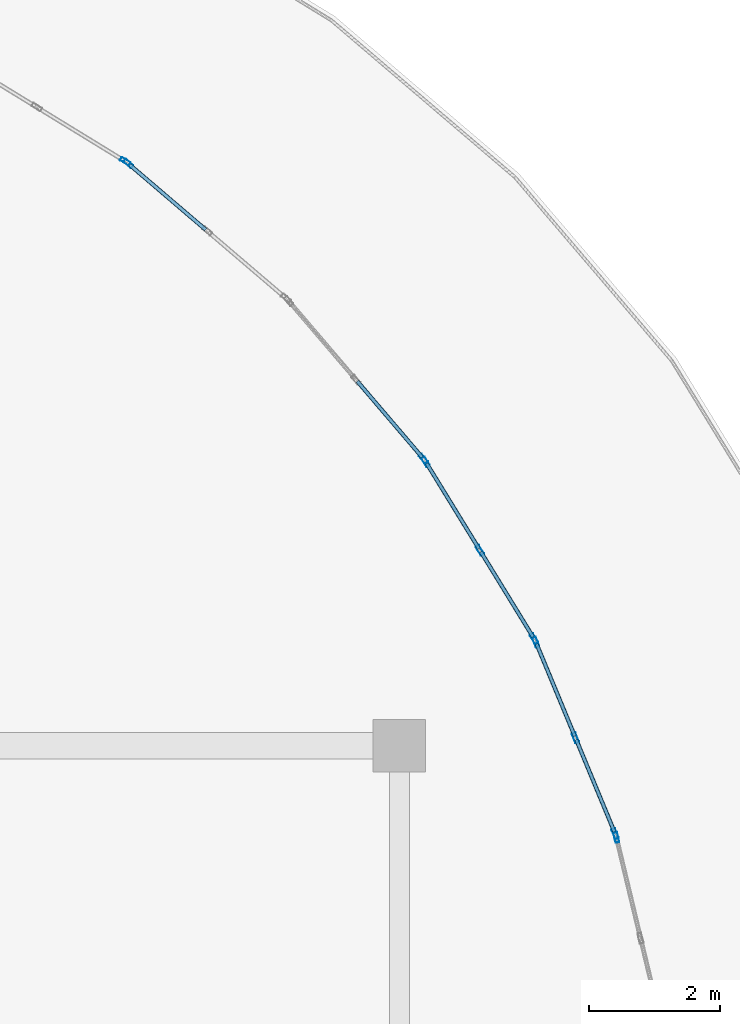
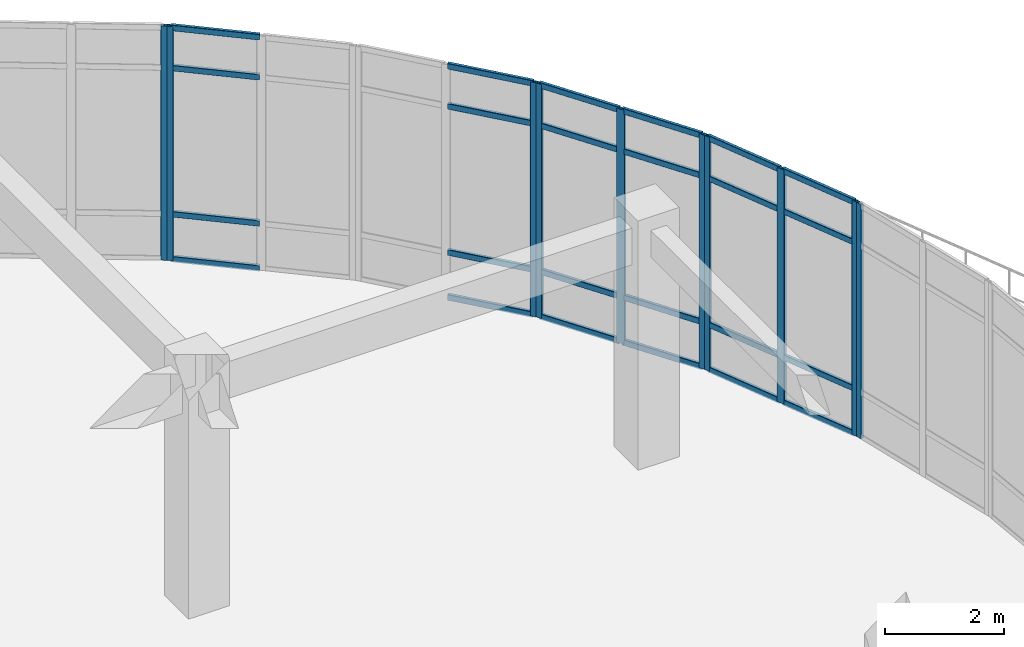
# One storey, part 88 of 124: 34 members, 6 elements without a shape of their own.
"""IFC4 building model written with IfcOpenShell, lengths in metres."""

from ifc_helpers import new_model, si_unit, derived_unit, direction, frame, origin, origin_2d, place, context, subcontext, project, spatial, hollow_rectangle, extrude, material, layer, layer_set, material_profile, profile_set, type_object, element, aggregate, save


model = new_model("IFC4")

# Units and contexts
model_context = context("Model", 3, precision=1e-05, world=origin(), true_north=direction((0.0, 1.0)))
body_context = subcontext(model_context, "Body", "Model", "MODEL_VIEW")
ifc_project = project(units=[si_unit("LENGTHUNIT", "METRE"), si_unit("AREAUNIT", "SQUARE_METRE"), si_unit("VOLUMEUNIT", "CUBIC_METRE"), si_unit("PLANEANGLEUNIT", "RADIAN"), si_unit("MASSUNIT", "GRAM", prefix="KILO"), derived_unit("THERMALTRANSMITTANCEUNIT", [(si_unit("MASSUNIT", "GRAM", prefix="KILO"), 1), (si_unit("TIMEUNIT", "SECOND"), -3), (si_unit("THERMODYNAMICTEMPERATUREUNIT", "KELVIN"), -1)])], contexts=[model_context])

# Site, building, storey
site_placement = place(None, origin())
site = spatial("IfcSite", under=ifc_project, at=site_placement, CompositionType="ELEMENT")
building_placement = place(site_placement, origin())
building = spatial("IfcBuilding", under=site, at=building_placement, Name="Qinzheling Arcade Emporium", CompositionType="ELEMENT")
storey_placement = place(building_placement, frame((0.0, 0.0, 16.5)))
storey = spatial("IfcBuildingStorey", under=building, at=storey_placement, Name="L04", CompositionType="ELEMENT", Elevation=16.5)

# Curtain wall, member
ifc_material_1 = material(Name="Anodised aluminium and solar-control double glazing", Category="aluminium")
ifc_layer = layer(ifc_material_1, 0.159912109375, Name="Anodised aluminium and solar-control double glazing", Category="aluminium")
ifc_layer_set = layer_set([ifc_layer], Name="Anodised aluminium and solar-control double glazing")
curtain_wall_type = type_object("IfcCurtainWallType", Name="Curved Ribbon Sales Curtain Wall", PredefinedType="NOTDEFINED", material=ifc_layer_set)
curtain_wall_1_placement = place(storey_placement, origin())
curtain_wall_1 = element("IfcCurtainWall", 1, at=curtain_wall_1_placement, inside=storey, type_object=curtain_wall_type, Name="Curtain Wall CW-L04-267", PredefinedType="NOTDEFINED")
ifc_material_2 = material(Name="Anodised aluminium 6063-T6", Category="aluminium")
ifc_material_profile_1 = material_profile(ifc_material_2, hollow_rectangle(XDim=0.06005859375, YDim=0.159912109375, WallThickness=0.00390625, InnerFilletRadius=0.00390625, OuterFilletRadius=0.008056640625, at=origin_2d()), Name="RHS 160x60x4", Category="aluminium")
ifc_profile_set_1 = profile_set([ifc_material_profile_1], Name="Anodised aluminium 6063-T6")
member_type_1 = type_object("IfcMemberType", Name="Curtain Wall Mullion RHS160x60", PredefinedType="MULLION", material=ifc_profile_set_1)
member_1_placement = place(storey_placement, frame((135.0244140625, 107.900634765625, 0.0), z_axis=(0.0, 0.0, 1.0), x_axis=(0.522518323638, 0.852628055756, 0.0)))
member_1 = element("IfcMember", 2, at=member_1_placement, type_object=member_type_1, Name="CW02 mullion 3", PredefinedType="MULLION", context=body_context, shape_type="SweptSolid", body=[
    extrude(hollow_rectangle(XDim=0.06005859375, YDim=0.159912109375, WallThickness=0.00390625, InnerFilletRadius=0.00390625, OuterFilletRadius=0.008056640625, at=origin_2d()), origin(), (0.0, 0.0, 1.0), 4.7900390625),
])
aggregate(curtain_wall_1, [member_1])

curtain_wall_2_placement = place(storey_placement, origin())
curtain_wall_2 = element("IfcCurtainWall", 3, at=curtain_wall_2_placement, inside=storey, type_object=curtain_wall_type, Name="Curtain Wall CW-L04-268", PredefinedType="NOTDEFINED")
member_2_placement = place(storey_placement, frame((135.07275390625, 107.865478515625, 0.0), z_axis=(0.0, 0.0, 1.0), x_axis=(0.64943342373, 0.760418455945, 0.0)))
member_2 = element("IfcMember", 4, at=member_2_placement, type_object=member_type_1, Name="CW02 mullion 1", PredefinedType="MULLION", context=body_context, shape_type="SweptSolid", body=[
    extrude(hollow_rectangle(XDim=0.06005859375, YDim=0.159912109375, WallThickness=0.00390625, InnerFilletRadius=0.00390625, OuterFilletRadius=0.008056640625, at=origin_2d()), origin(), (0.0, 0.0, 1.0), 4.7900390625),
])

curtain_wall_3_placement = place(storey_placement, origin())
curtain_wall_3 = element("IfcCurtainWall", 5, at=curtain_wall_3_placement, inside=storey, type_object=curtain_wall_type, Name="Curtain Wall CW-L04-269", PredefinedType="NOTDEFINED")
member_3_placement = place(storey_placement, frame((139.5654296875, 103.372802734375, 0.0), z_axis=(0.0, 0.0, 1.0), x_axis=(0.760418455945, 0.64943342373, 0.0)))
member_3 = element("IfcMember", 6, at=member_3_placement, type_object=member_type_1, Name="CW02 mullion 3", PredefinedType="MULLION", context=body_context, shape_type="SweptSolid", body=[
    extrude(hollow_rectangle(XDim=0.06005859375, YDim=0.159912109375, WallThickness=0.00390625, InnerFilletRadius=0.00390625, OuterFilletRadius=0.008056640625, at=origin_2d()), origin(), (0.0, 0.0, 1.0), 4.7900390625),
])

# Curtain wall, members
curtain_wall_4_placement = place(storey_placement, origin())
curtain_wall_4 = element("IfcCurtainWall", 7, at=curtain_wall_4_placement, inside=storey, type_object=curtain_wall_type, Name="Curtain Wall CW-L04-270", PredefinedType="NOTDEFINED")
member_4_placement = place(storey_placement, frame((139.6005859375, 103.324462890625, 0.0), z_axis=(0.0, 0.0, 1.0), x_axis=(0.852628055756, 0.522518323638, 0.0)))
member_4 = element("IfcMember", 8, at=member_4_placement, type_object=member_type_1, Name="CW02 mullion 1", PredefinedType="MULLION", context=body_context, shape_type="SweptSolid", body=[
    extrude(hollow_rectangle(XDim=0.06005859375, YDim=0.159912109375, WallThickness=0.00390625, InnerFilletRadius=0.00390625, OuterFilletRadius=0.008056640625, at=origin_2d()), origin(), (0.0, 0.0, 1.0), 4.7900390625),
])
member_5_placement = place(storey_placement, frame((140.425537109375, 101.978515625, 0.0), z_axis=(0.0, 0.0, 1.0), x_axis=(0.852628055756, 0.522518323638, 0.0)))
member_5 = element("IfcMember", 9, at=member_5_placement, type_object=member_type_1, Name="CW02 mullion 2", PredefinedType="MULLION", context=body_context, shape_type="SweptSolid", body=[
    extrude(hollow_rectangle(XDim=0.06005859375, YDim=0.159912109375, WallThickness=0.00390625, InnerFilletRadius=0.00390625, OuterFilletRadius=0.008056640625, at=origin_2d()), origin(), (0.0, 0.0, 1.0), 4.7900390625),
])
member_6_placement = place(storey_placement, frame((141.250244140625, 100.632568359375, 0.0), z_axis=(0.0, 0.0, 1.0), x_axis=(0.852628055756, 0.522518323638, 0.0)))
member_6 = element("IfcMember", 10, at=member_6_placement, type_object=member_type_1, Name="CW02 mullion 3", PredefinedType="MULLION", context=body_context, shape_type="SweptSolid", body=[
    extrude(hollow_rectangle(XDim=0.06005859375, YDim=0.159912109375, WallThickness=0.00390625, InnerFilletRadius=0.00390625, OuterFilletRadius=0.008056640625, at=origin_2d()), origin(), (0.0, 0.0, 1.0), 4.7900390625),
])

curtain_wall_5_placement = place(storey_placement, origin())
curtain_wall_5 = element("IfcCurtainWall", 11, at=curtain_wall_5_placement, inside=storey, type_object=curtain_wall_type, Name="Curtain Wall CW-L04-271", PredefinedType="NOTDEFINED")
member_7_placement = place(storey_placement, frame((141.277587890625, 100.579345703125, 0.0), z_axis=(0.0, 0.0, 1.0), x_axis=(0.923884226263, 0.38267210045, 0.0)))
member_7 = element("IfcMember", 12, at=member_7_placement, type_object=member_type_1, Name="CW02 mullion 1", PredefinedType="MULLION", context=body_context, shape_type="SweptSolid", body=[
    extrude(hollow_rectangle(XDim=0.06005859375, YDim=0.159912109375, WallThickness=0.00390625, InnerFilletRadius=0.00390625, OuterFilletRadius=0.008056640625, at=origin_2d()), origin(), (0.0, 0.0, 1.0), 4.7900390625),
])
member_8_placement = place(storey_placement, frame((141.881591796875, 99.12109375, 0.0), z_axis=(0.0, 0.0, 1.0), x_axis=(0.923884226263, 0.38267210045, 0.0)))
member_8 = element("IfcMember", 13, at=member_8_placement, type_object=member_type_1, Name="CW02 mullion 2", PredefinedType="MULLION", context=body_context, shape_type="SweptSolid", body=[
    extrude(hollow_rectangle(XDim=0.06005859375, YDim=0.159912109375, WallThickness=0.00390625, InnerFilletRadius=0.00390625, OuterFilletRadius=0.008056640625, at=origin_2d()), origin(), (0.0, 0.0, 1.0), 4.7900390625),
])
member_9_placement = place(storey_placement, frame((142.485595703125, 97.66259765625, 0.0), z_axis=(0.0, 0.0, 1.0), x_axis=(0.923884226263, 0.38267210045, 0.0)))
member_9 = element("IfcMember", 14, at=member_9_placement, type_object=member_type_1, Name="CW02 mullion 3", PredefinedType="MULLION", context=body_context, shape_type="SweptSolid", body=[
    extrude(hollow_rectangle(XDim=0.06005859375, YDim=0.159912109375, WallThickness=0.00390625, InnerFilletRadius=0.00390625, OuterFilletRadius=0.008056640625, at=origin_2d()), origin(), (0.0, 0.0, 1.0), 4.7900390625),
])

# Curtain wall, member
curtain_wall_6_placement = place(storey_placement, origin())
curtain_wall_6 = element("IfcCurtainWall", 15, at=curtain_wall_6_placement, inside=storey, type_object=curtain_wall_type, Name="Curtain Wall CW-L04-272", PredefinedType="NOTDEFINED")
member_10_placement = place(storey_placement, frame((142.50390625, 97.605712890625, 0.0), z_axis=(0.0, 0.0, 1.0), x_axis=(0.972367546477, 0.233455251725, 0.0)))
member_10 = element("IfcMember", 16, at=member_10_placement, type_object=member_type_1, Name="CW02 mullion 1", PredefinedType="MULLION", context=body_context, shape_type="SweptSolid", body=[
    extrude(hollow_rectangle(XDim=0.06005859375, YDim=0.159912109375, WallThickness=0.00390625, InnerFilletRadius=0.00390625, OuterFilletRadius=0.008056640625, at=origin_2d()), origin(), (0.0, 0.0, 1.0), 4.7900390625),
])
aggregate(curtain_wall_6, [member_10])

# Member
ifc_material_profile_2 = material_profile(ifc_material_2, hollow_rectangle(XDim=0.06005859375, YDim=0.1201171875, WallThickness=0.00390625, InnerFilletRadius=0.00390625, OuterFilletRadius=0.008056640625, at=origin_2d()), Name="RHS 120x60x4", Category="aluminium")
ifc_profile_set_2 = profile_set([ifc_material_profile_2], Name="Anodised aluminium 6063-T6")
member_type_2 = type_object("IfcMemberType", Name="Curtain Wall Transom RHS120x60", PredefinedType="USERDEFINED", material=ifc_profile_set_2)
member_11_placement = place(storey_placement, frame((135.095703125, 107.845947265625, 0.030029296875), z_axis=(0.760401801557, -0.649452923766, 0.0), x_axis=(0.649452923766, 0.760401801557, 0.0)))
member_11 = element("IfcMember", 17, at=member_11_placement, type_object=member_type_2, Name="CW02 transom 1.1", ObjectType="TRANSOM", PredefinedType="USERDEFINED", context=body_context, shape_type="SweptSolid", body=[
    extrude(hollow_rectangle(XDim=0.06005859375, YDim=0.1201171875, WallThickness=0.00390625, InnerFilletRadius=0.00390625, OuterFilletRadius=0.008056640625, at=origin_2d()), origin(), (0.0, 0.0, 1.0), 1.518310546875),
])

member_12_placement = place(storey_placement, frame((135.095703125, 107.845947265625, 0.949951171875), z_axis=(0.760401801557, -0.649452923766, 0.0), x_axis=(0.649452923766, 0.760401801557, 0.0)))
member_12 = element("IfcMember", 18, at=member_12_placement, type_object=member_type_2, Name="CW02 transom 1.2", ObjectType="TRANSOM", PredefinedType="USERDEFINED", context=body_context, shape_type="SweptSolid", body=[
    extrude(hollow_rectangle(XDim=0.06005859375, YDim=0.1201171875, WallThickness=0.00390625, InnerFilletRadius=0.00390625, OuterFilletRadius=0.008056640625, at=origin_2d()), origin(), (0.0, 0.0, 1.0), 1.518310546875),
])

member_13_placement = place(storey_placement, frame((135.095703125, 107.845947265625, 3.93994140625), z_axis=(0.760401801557, -0.649452923766, 0.0), x_axis=(0.649452923766, 0.760401801557, 0.0)))
member_13 = element("IfcMember", 19, at=member_13_placement, type_object=member_type_2, Name="CW02 transom 1.3", ObjectType="TRANSOM", PredefinedType="USERDEFINED", context=body_context, shape_type="SweptSolid", body=[
    extrude(hollow_rectangle(XDim=0.06005859375, YDim=0.1201171875, WallThickness=0.00390625, InnerFilletRadius=0.00390625, OuterFilletRadius=0.008056640625, at=origin_2d()), origin(), (0.0, 0.0, 1.0), 1.518310546875),
])

member_14_placement = place(storey_placement, frame((135.095703125, 107.845947265625, 4.760009765625), z_axis=(0.760401801557, -0.649452923766, 0.0), x_axis=(0.649452923766, 0.760401801557, 0.0)))
member_14 = element("IfcMember", 20, at=member_14_placement, type_object=member_type_2, Name="CW02 transom 1.4", ObjectType="TRANSOM", PredefinedType="USERDEFINED", context=body_context, shape_type="SweptSolid", body=[
    extrude(hollow_rectangle(XDim=0.06005859375, YDim=0.1201171875, WallThickness=0.00390625, InnerFilletRadius=0.00390625, OuterFilletRadius=0.008056640625, at=origin_2d()), origin(), (0.0, 0.0, 1.0), 1.518310546875),
])

aggregate(curtain_wall_2, [member_2, member_11, member_12, member_13, member_14])

member_15_placement = place(storey_placement, frame((138.56005859375, 104.55029296875, 0.030029296875), z_axis=(0.649373521865, -0.760469610899, 0.0), x_axis=(0.760469610899, 0.649373521865, 0.0)))
member_15 = element("IfcMember", 21, at=member_15_placement, type_object=member_type_2, Name="CW02 transom 2.1", ObjectType="TRANSOM", PredefinedType="USERDEFINED", context=body_context, shape_type="SweptSolid", body=[
    extrude(hollow_rectangle(XDim=0.06005859375, YDim=0.1201171875, WallThickness=0.00390625, InnerFilletRadius=0.00390625, OuterFilletRadius=0.008056640625, at=origin_2d()), origin(), (0.0, 0.0, 1.0), 1.5185546875),
])

member_16_placement = place(storey_placement, frame((138.56005859375, 104.55029296875, 0.949951171875), z_axis=(0.649373521865, -0.760469610899, 0.0), x_axis=(0.760469610899, 0.649373521865, 0.0)))
member_16 = element("IfcMember", 22, at=member_16_placement, type_object=member_type_2, Name="CW02 transom 2.2", ObjectType="TRANSOM", PredefinedType="USERDEFINED", context=body_context, shape_type="SweptSolid", body=[
    extrude(hollow_rectangle(XDim=0.06005859375, YDim=0.1201171875, WallThickness=0.00390625, InnerFilletRadius=0.00390625, OuterFilletRadius=0.008056640625, at=origin_2d()), origin(), (0.0, 0.0, 1.0), 1.5185546875),
])

member_17_placement = place(storey_placement, frame((138.56005859375, 104.55029296875, 3.93994140625), z_axis=(0.649373521865, -0.760469610899, 0.0), x_axis=(0.760469610899, 0.649373521865, 0.0)))
member_17 = element("IfcMember", 23, at=member_17_placement, type_object=member_type_2, Name="CW02 transom 2.3", ObjectType="TRANSOM", PredefinedType="USERDEFINED", context=body_context, shape_type="SweptSolid", body=[
    extrude(hollow_rectangle(XDim=0.06005859375, YDim=0.1201171875, WallThickness=0.00390625, InnerFilletRadius=0.00390625, OuterFilletRadius=0.008056640625, at=origin_2d()), origin(), (0.0, 0.0, 1.0), 1.5185546875),
])

member_18_placement = place(storey_placement, frame((138.56005859375, 104.55029296875, 4.760009765625), z_axis=(0.649373521865, -0.760469610899, 0.0), x_axis=(0.760469610899, 0.649373521865, 0.0)))
member_18 = element("IfcMember", 24, at=member_18_placement, type_object=member_type_2, Name="CW02 transom 2.4", ObjectType="TRANSOM", PredefinedType="USERDEFINED", context=body_context, shape_type="SweptSolid", body=[
    extrude(hollow_rectangle(XDim=0.06005859375, YDim=0.1201171875, WallThickness=0.00390625, InnerFilletRadius=0.00390625, OuterFilletRadius=0.008056640625, at=origin_2d()), origin(), (0.0, 0.0, 1.0), 1.5185546875),
])

aggregate(curtain_wall_3, [member_3, member_15, member_16, member_17, member_18])

member_19_placement = place(storey_placement, frame((139.616455078125, 103.298828125, 0.030029296875), z_axis=(0.522535666374, -0.852617427318, 0.0), x_axis=(0.852617427318, 0.522535666374, 0.0)))
member_19 = element("IfcMember", 25, at=member_19_placement, type_object=member_type_2, Name="CW02 transom 1.1", ObjectType="TRANSOM", PredefinedType="USERDEFINED", context=body_context, shape_type="SweptSolid", body=[
    extrude(hollow_rectangle(XDim=0.06005859375, YDim=0.1201171875, WallThickness=0.00390625, InnerFilletRadius=0.00390625, OuterFilletRadius=0.008056640625, at=origin_2d()), origin(), (0.0, 0.0, 1.0), 1.5185546875),
])

member_20_placement = place(storey_placement, frame((139.616455078125, 103.298828125, 0.949951171875), z_axis=(0.522535666374, -0.852617427318, 0.0), x_axis=(0.852617427318, 0.522535666374, 0.0)))
member_20 = element("IfcMember", 26, at=member_20_placement, type_object=member_type_2, Name="CW02 transom 1.2", ObjectType="TRANSOM", PredefinedType="USERDEFINED", context=body_context, shape_type="SweptSolid", body=[
    extrude(hollow_rectangle(XDim=0.06005859375, YDim=0.1201171875, WallThickness=0.00390625, InnerFilletRadius=0.00390625, OuterFilletRadius=0.008056640625, at=origin_2d()), origin(), (0.0, 0.0, 1.0), 1.5185546875),
])

member_21_placement = place(storey_placement, frame((139.616455078125, 103.298828125, 3.93994140625), z_axis=(0.522535666374, -0.852617427318, 0.0), x_axis=(0.852617427318, 0.522535666374, 0.0)))
member_21 = element("IfcMember", 27, at=member_21_placement, type_object=member_type_2, Name="CW02 transom 1.3", ObjectType="TRANSOM", PredefinedType="USERDEFINED", context=body_context, shape_type="SweptSolid", body=[
    extrude(hollow_rectangle(XDim=0.06005859375, YDim=0.1201171875, WallThickness=0.00390625, InnerFilletRadius=0.00390625, OuterFilletRadius=0.008056640625, at=origin_2d()), origin(), (0.0, 0.0, 1.0), 1.5185546875),
])

member_22_placement = place(storey_placement, frame((139.616455078125, 103.298828125, 4.760009765625), z_axis=(0.522535666374, -0.852617427318, 0.0), x_axis=(0.852617427318, 0.522535666374, 0.0)))
member_22 = element("IfcMember", 28, at=member_22_placement, type_object=member_type_2, Name="CW02 transom 1.4", ObjectType="TRANSOM", PredefinedType="USERDEFINED", context=body_context, shape_type="SweptSolid", body=[
    extrude(hollow_rectangle(XDim=0.06005859375, YDim=0.1201171875, WallThickness=0.00390625, InnerFilletRadius=0.00390625, OuterFilletRadius=0.008056640625, at=origin_2d()), origin(), (0.0, 0.0, 1.0), 1.5185546875),
])

member_23_placement = place(storey_placement, frame((140.441162109375, 101.952880859375, 0.030029296875), z_axis=(0.522535666374, -0.852617427318, 0.0), x_axis=(0.852617427318, 0.522535666374, 0.0)))
member_23 = element("IfcMember", 29, at=member_23_placement, type_object=member_type_2, Name="CW02 transom 2.1", ObjectType="TRANSOM", PredefinedType="USERDEFINED", context=body_context, shape_type="SweptSolid", body=[
    extrude(hollow_rectangle(XDim=0.06005859375, YDim=0.1201171875, WallThickness=0.00390625, InnerFilletRadius=0.00390625, OuterFilletRadius=0.008056640625, at=origin_2d()), origin(), (0.0, 0.0, 1.0), 1.5185546875),
])

member_24_placement = place(storey_placement, frame((140.441162109375, 101.952880859375, 0.949951171875), z_axis=(0.522535666374, -0.852617427318, 0.0), x_axis=(0.852617427318, 0.522535666374, 0.0)))
member_24 = element("IfcMember", 30, at=member_24_placement, type_object=member_type_2, Name="CW02 transom 2.2", ObjectType="TRANSOM", PredefinedType="USERDEFINED", context=body_context, shape_type="SweptSolid", body=[
    extrude(hollow_rectangle(XDim=0.06005859375, YDim=0.1201171875, WallThickness=0.00390625, InnerFilletRadius=0.00390625, OuterFilletRadius=0.008056640625, at=origin_2d()), origin(), (0.0, 0.0, 1.0), 1.5185546875),
])

member_25_placement = place(storey_placement, frame((140.441162109375, 101.952880859375, 3.93994140625), z_axis=(0.522535666374, -0.852617427318, 0.0), x_axis=(0.852617427318, 0.522535666374, 0.0)))
member_25 = element("IfcMember", 31, at=member_25_placement, type_object=member_type_2, Name="CW02 transom 2.3", ObjectType="TRANSOM", PredefinedType="USERDEFINED", context=body_context, shape_type="SweptSolid", body=[
    extrude(hollow_rectangle(XDim=0.06005859375, YDim=0.1201171875, WallThickness=0.00390625, InnerFilletRadius=0.00390625, OuterFilletRadius=0.008056640625, at=origin_2d()), origin(), (0.0, 0.0, 1.0), 1.5185546875),
])

member_26_placement = place(storey_placement, frame((140.441162109375, 101.952880859375, 4.760009765625), z_axis=(0.522535666374, -0.852617427318, 0.0), x_axis=(0.852617427318, 0.522535666374, 0.0)))
member_26 = element("IfcMember", 32, at=member_26_placement, type_object=member_type_2, Name="CW02 transom 2.4", ObjectType="TRANSOM", PredefinedType="USERDEFINED", context=body_context, shape_type="SweptSolid", body=[
    extrude(hollow_rectangle(XDim=0.06005859375, YDim=0.1201171875, WallThickness=0.00390625, InnerFilletRadius=0.00390625, OuterFilletRadius=0.008056640625, at=origin_2d()), origin(), (0.0, 0.0, 1.0), 1.5185546875),
])

aggregate(curtain_wall_4, [member_4, member_5, member_6, member_19, member_20, member_21, member_22, member_23, member_24, member_25, member_26])

member_27_placement = place(storey_placement, frame((141.2890625, 100.551513671875, 0.030029296875), z_axis=(0.382673670509, -0.923883575944, 0.0), x_axis=(0.923883575944, 0.382673670509, 0.0)))
member_27 = element("IfcMember", 33, at=member_27_placement, type_object=member_type_2, Name="CW02 transom 1.1", ObjectType="TRANSOM", PredefinedType="USERDEFINED", context=body_context, shape_type="SweptSolid", body=[
    extrude(hollow_rectangle(XDim=0.06005859375, YDim=0.1201171875, WallThickness=0.00390625, InnerFilletRadius=0.00390625, OuterFilletRadius=0.008056640625, at=origin_2d()), origin(), (0.0, 0.0, 1.0), 1.518310546875),
])

member_28_placement = place(storey_placement, frame((141.2890625, 100.551513671875, 0.949951171875), z_axis=(0.382673670509, -0.923883575944, 0.0), x_axis=(0.923883575944, 0.382673670509, 0.0)))
member_28 = element("IfcMember", 34, at=member_28_placement, type_object=member_type_2, Name="CW02 transom 1.2", ObjectType="TRANSOM", PredefinedType="USERDEFINED", context=body_context, shape_type="SweptSolid", body=[
    extrude(hollow_rectangle(XDim=0.06005859375, YDim=0.1201171875, WallThickness=0.00390625, InnerFilletRadius=0.00390625, OuterFilletRadius=0.008056640625, at=origin_2d()), origin(), (0.0, 0.0, 1.0), 1.518310546875),
])

member_29_placement = place(storey_placement, frame((141.2890625, 100.551513671875, 3.93994140625), z_axis=(0.382673670509, -0.923883575944, 0.0), x_axis=(0.923883575944, 0.382673670509, 0.0)))
member_29 = element("IfcMember", 35, at=member_29_placement, type_object=member_type_2, Name="CW02 transom 1.3", ObjectType="TRANSOM", PredefinedType="USERDEFINED", context=body_context, shape_type="SweptSolid", body=[
    extrude(hollow_rectangle(XDim=0.06005859375, YDim=0.1201171875, WallThickness=0.00390625, InnerFilletRadius=0.00390625, OuterFilletRadius=0.008056640625, at=origin_2d()), origin(), (0.0, 0.0, 1.0), 1.518310546875),
])

member_30_placement = place(storey_placement, frame((141.2890625, 100.551513671875, 4.760009765625), z_axis=(0.382673670509, -0.923883575944, 0.0), x_axis=(0.923883575944, 0.382673670509, 0.0)))
member_30 = element("IfcMember", 36, at=member_30_placement, type_object=member_type_2, Name="CW02 transom 1.4", ObjectType="TRANSOM", PredefinedType="USERDEFINED", context=body_context, shape_type="SweptSolid", body=[
    extrude(hollow_rectangle(XDim=0.06005859375, YDim=0.1201171875, WallThickness=0.00390625, InnerFilletRadius=0.00390625, OuterFilletRadius=0.008056640625, at=origin_2d()), origin(), (0.0, 0.0, 1.0), 1.518310546875),
])

member_31_placement = place(storey_placement, frame((141.89306640625, 99.09326171875, 0.030029296875), z_axis=(0.382673670509, -0.923883575944, 0.0), x_axis=(0.923883575944, 0.382673670509, 0.0)))
member_31 = element("IfcMember", 37, at=member_31_placement, type_object=member_type_2, Name="CW02 transom 2.1", ObjectType="TRANSOM", PredefinedType="USERDEFINED", context=body_context, shape_type="SweptSolid", body=[
    extrude(hollow_rectangle(XDim=0.06005859375, YDim=0.1201171875, WallThickness=0.00390625, InnerFilletRadius=0.00390625, OuterFilletRadius=0.008056640625, at=origin_2d()), origin(), (0.0, 0.0, 1.0), 1.518310546875),
])

member_32_placement = place(storey_placement, frame((141.89306640625, 99.09326171875, 0.949951171875), z_axis=(0.382673670509, -0.923883575944, 0.0), x_axis=(0.923883575944, 0.382673670509, 0.0)))
member_32 = element("IfcMember", 38, at=member_32_placement, type_object=member_type_2, Name="CW02 transom 2.2", ObjectType="TRANSOM", PredefinedType="USERDEFINED", context=body_context, shape_type="SweptSolid", body=[
    extrude(hollow_rectangle(XDim=0.06005859375, YDim=0.1201171875, WallThickness=0.00390625, InnerFilletRadius=0.00390625, OuterFilletRadius=0.008056640625, at=origin_2d()), origin(), (0.0, 0.0, 1.0), 1.518310546875),
])

member_33_placement = place(storey_placement, frame((141.89306640625, 99.09326171875, 3.93994140625), z_axis=(0.382673670509, -0.923883575944, 0.0), x_axis=(0.923883575944, 0.382673670509, 0.0)))
member_33 = element("IfcMember", 39, at=member_33_placement, type_object=member_type_2, Name="CW02 transom 2.3", ObjectType="TRANSOM", PredefinedType="USERDEFINED", context=body_context, shape_type="SweptSolid", body=[
    extrude(hollow_rectangle(XDim=0.06005859375, YDim=0.1201171875, WallThickness=0.00390625, InnerFilletRadius=0.00390625, OuterFilletRadius=0.008056640625, at=origin_2d()), origin(), (0.0, 0.0, 1.0), 1.518310546875),
])

member_34_placement = place(storey_placement, frame((141.89306640625, 99.09326171875, 4.760009765625), z_axis=(0.382673670509, -0.923883575944, 0.0), x_axis=(0.923883575944, 0.382673670509, 0.0)))
member_34 = element("IfcMember", 40, at=member_34_placement, type_object=member_type_2, Name="CW02 transom 2.4", ObjectType="TRANSOM", PredefinedType="USERDEFINED", context=body_context, shape_type="SweptSolid", body=[
    extrude(hollow_rectangle(XDim=0.06005859375, YDim=0.1201171875, WallThickness=0.00390625, InnerFilletRadius=0.00390625, OuterFilletRadius=0.008056640625, at=origin_2d()), origin(), (0.0, 0.0, 1.0), 1.518310546875),
])

aggregate(curtain_wall_5, [member_7, member_8, member_9, member_27, member_28, member_29, member_30, member_31, member_32, member_33, member_34])

save(model, "model.ifc")
